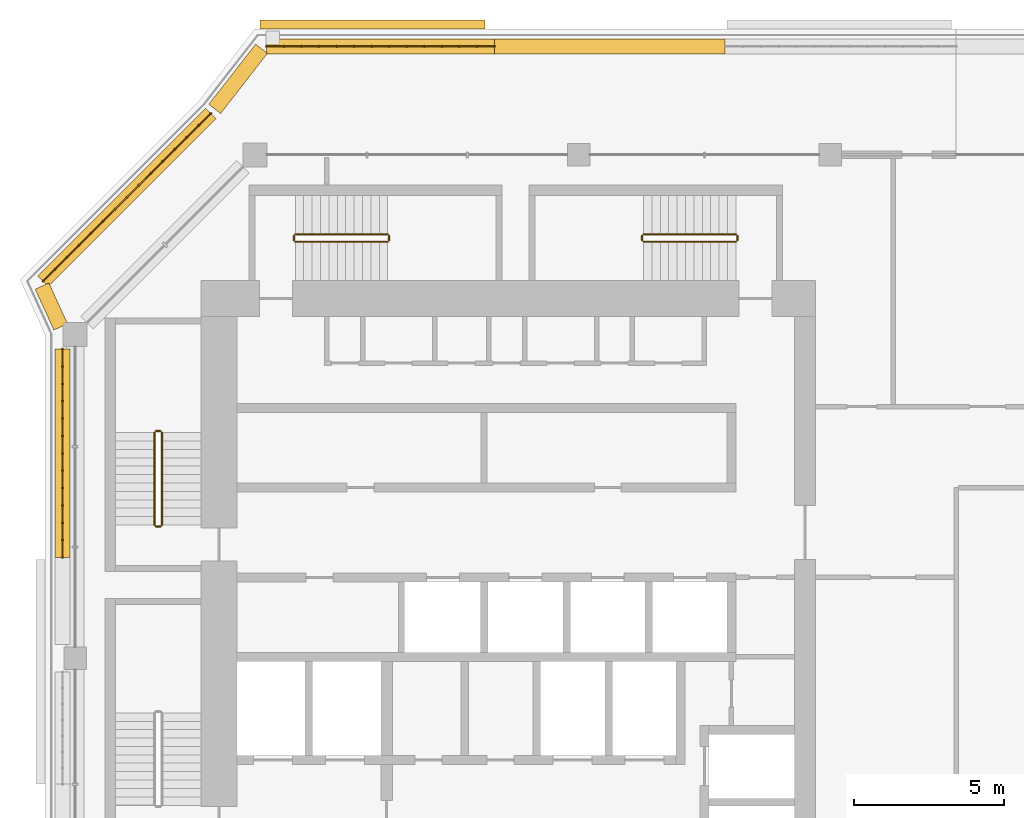
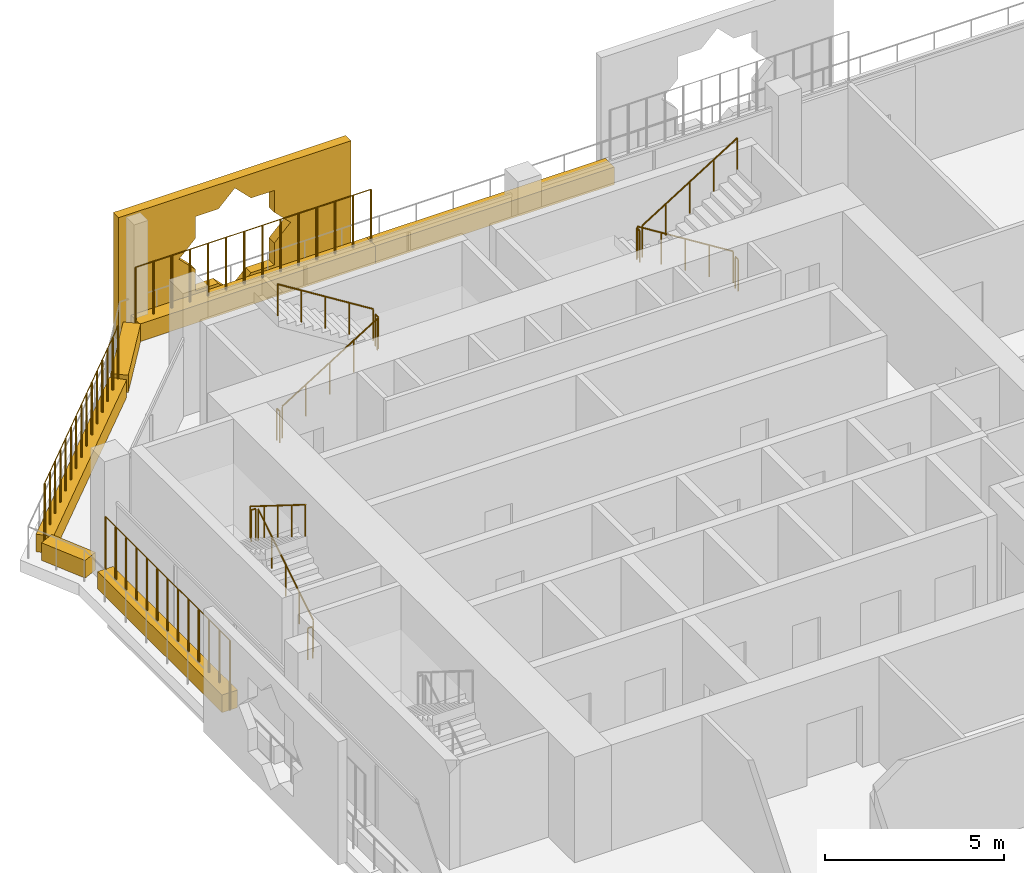
# One storey, part 19 of 21: 15 railings, 7 coverings.
"""IFC4 building model written with IfcOpenShell, lengths in metres."""

import ifcopenshell
import ifcopenshell.guid

model = None  # the IFC model being written
_history = None  # IfcOwnerHistory: only IFC2X3 demands one
_inside = {}  # id of a spatial element -> (the spatial element, [elements in it])
_under = {}  # id of a project, library or spatial element -> (it, [spatial elements below it])
_declared = {}  # id of a project -> (the project, [libraries it declares])
_typed = {}  # id of a type object -> (the type object, [elements of that type])
_made_of = {}  # id of a material, layer set ... -> (it, [elements and type objects made of it])


def new_model(schema):
    """Start an empty IFC model of exactly this schema.

    Asked for "IFC4X3", IfcOpenShell would pick the latest addendum, in which some entities
    have other attributes; the version numbers below select the first issue.
    IFC2X3 requires an IfcOwnerHistory on every rooted entity: one is made here for all.
    """
    global model, _history
    if schema == "IFC4X3":
        model = ifcopenshell.file(schema_version=(4, 3, 0, 0))
    else:
        model = ifcopenshell.file(schema=schema)
    _inside.clear()
    _under.clear()
    _declared.clear()
    _typed.clear()
    _made_of.clear()
    _history = None
    if model.schema == "IFC2X3":
        org = make("IfcOrganization", Name="unknown")
        user = make(
            "IfcPersonAndOrganization",
            ThePerson=make("IfcPerson", FamilyName="unknown"),
            TheOrganization=org,
        )
        app = make(
            "IfcApplication",
            ApplicationDeveloper=org,
            Version="unknown",
            ApplicationFullName="unknown",
            ApplicationIdentifier="unknown",
        )
        _history = make(
            "IfcOwnerHistory",
            OwningUser=user,
            OwningApplication=app,
            ChangeAction="ADDED",
            CreationDate=0,
        )
    return model


def make(cls, **values):
    """One entity of the class cls with the attributes given. An attribute that is None is left unset."""
    return model.create_entity(
        cls, **{name: value for name, value in values.items() if value is not None}
    )


def rooted(cls, **values):
    """An entity with a GlobalId (a new one), such as an element, a storey or a relation."""
    return make(cls, GlobalId=ifcopenshell.guid.new(), OwnerHistory=_history, **values)


def si_unit(unit_type, name, prefix=None):
    """IfcSIUnit, for example si_unit("LENGTHUNIT", "METRE", prefix="MILLI")."""
    return make("IfcSIUnit", UnitType=unit_type, Prefix=prefix, Name=name)


def assignment(units):
    """IfcUnitAssignment: the units of a project."""
    return None if units is None else make("IfcUnitAssignment", Units=units)


def point(xyz):
    """IfcCartesianPoint."""
    return None if xyz is None else make("IfcCartesianPoint", Coordinates=xyz)


def direction(xyz):
    """IfcDirection."""
    return None if xyz is None else make("IfcDirection", DirectionRatios=xyz)


def frame(location, z_axis=None, x_axis=None):
    """IfcAxis2Placement3D, a coordinate frame: its origin and axes. An axis left out is left unset."""
    return make(
        "IfcAxis2Placement3D",
        Location=point(location),
        Axis=direction(z_axis),
        RefDirection=direction(x_axis),
    )


def frame_2d(location, x_axis=None):
    """IfcAxis2Placement2D, a coordinate frame in the plane: its origin and x axis."""
    return make(
        "IfcAxis2Placement2D", Location=point(location), RefDirection=direction(x_axis)
    )


def origin():
    """The frame at (0, 0, 0) with its axes left unset."""
    return frame((0.0, 0.0, 0.0))


def origin_2d():
    """The frame at (0, 0) in the plane with its x axis left unset."""
    return frame_2d((0.0, 0.0))


def place(relative_to, where):
    """IfcLocalPlacement: puts the frame where relative to a parent placement (None: the world)."""
    return make(
        "IfcLocalPlacement", PlacementRelTo=relative_to, RelativePlacement=where
    )


def context(
    kind, dimensions, precision=None, world=None, true_north=None, identifier=None
):
    """IfcGeometricRepresentationContext, for example the 3D "Model" context."""
    return make(
        "IfcGeometricRepresentationContext",
        ContextIdentifier=identifier,
        ContextType=kind,
        CoordinateSpaceDimension=dimensions,
        Precision=precision,
        WorldCoordinateSystem=world,
        TrueNorth=true_north,
    )


def subcontext(parent, identifier, kind, view, scale=None):
    """IfcGeometricRepresentationSubContext, for example "Body" below "Model"."""
    return make(
        "IfcGeometricRepresentationSubContext",
        ContextIdentifier=identifier,
        ContextType=kind,
        ParentContext=parent,
        TargetScale=scale,
        TargetView=view,
    )


def project(units=None, contexts=None):
    """IfcProject with its units and contexts."""
    return rooted(
        "IfcProject",
        Name="project",
        RepresentationContexts=contexts,
        UnitsInContext=assignment(units),
    )


def spatial(cls, under=None, at=None, **own):
    """A site, building, storey or space (cls), placed at a placement, below another one or the project."""
    s = rooted(cls, ObjectPlacement=at, **own)
    if under is not None:
        _under.setdefault(under.id(), (under, []))[1].append(s)
    return s


def polyline(points):
    """IfcPolyline through the points."""
    return make("IfcPolyline", Points=[point(p) for p in points])


def profile(cls, at=None, kind="AREA", **sizes):
    """A parametric profile (cls). Its sizes go by their IFC names, for example OverallWidth=200.0."""
    return make(cls, ProfileType=kind, Position=at, **sizes)


def rectangle(**sizes):
    """IfcRectangleProfileDef."""
    return profile("IfcRectangleProfileDef", **sizes)


def circle(**sizes):
    """IfcCircleProfileDef."""
    return profile("IfcCircleProfileDef", **sizes)


def outline(outer, holes=None, kind="AREA"):
    """IfcArbitraryClosedProfileDef: a profile drawn as a closed curve; with holes, ...WithVoids."""
    if holes is None:
        return make("IfcArbitraryClosedProfileDef", ProfileType=kind, OuterCurve=outer)
    return make(
        "IfcArbitraryProfileDefWithVoids",
        ProfileType=kind,
        OuterCurve=outer,
        InnerCurves=holes,
    )


def extrude(swept, where, along, depth):
    """IfcExtrudedAreaSolid: the profile swept, set in the frame where, extruded along a direction by depth."""
    return make(
        "IfcExtrudedAreaSolid",
        SweptArea=swept,
        Position=where,
        ExtrudedDirection=direction(along),
        Depth=depth,
    )


def shape(context_of_items, identifier, shape_type, items):
    """IfcShapeRepresentation: the items that make up one representation, for example the "Body"."""
    return make(
        "IfcShapeRepresentation",
        ContextOfItems=context_of_items,
        RepresentationIdentifier=identifier,
        RepresentationType=shape_type,
        Items=items,
    )


def material(Name=None, Category=None):
    """IfcMaterial."""
    return make("IfcMaterial", Name=Name, Category=Category)


def material_profile(
    of_material, cross_section, Name=None, Category=None, Priority=None
):
    """IfcMaterialProfile: a cross section and its material."""
    return make(
        "IfcMaterialProfile",
        Name=Name,
        Material=of_material,
        Profile=cross_section,
        Priority=Priority,
        Category=Category,
    )


def profile_set(profiles, Name=None, composite=None):
    """IfcMaterialProfileSet."""
    return make(
        "IfcMaterialProfileSet",
        Name=Name,
        MaterialProfiles=profiles,
        CompositeProfile=composite,
    )


def made_of(thing, what):
    """Note that an element or type object is made of a material, layer set ...; save() writes the relation."""
    if what is not None:
        _made_of.setdefault(what.id(), (what, []))[1].append(thing)
    return thing


def type_object(cls, material=None, **own):
    """A type object (cls), such as IfcWallType, which elements share."""
    return made_of(rooted(cls, **own), material)


def element(
    cls,
    number,
    at=None,
    inside=None,
    cuts=None,
    type_object=None,
    material=None,
    context=None,
    identifier="Body",
    shape_type=None,
    held_by="IfcProductDefinitionShape",
    body=None,
    shapes=None,
    **own,
):
    """One element of the class cls, such as IfcWall. Its Tag is "e" and its number.

    at: its placement. inside: the storey or other place that contains it. cuts: it is an
    opening in that element (IfcRelVoidsElement). A single representation is given by context,
    identifier, shape_type and body (its items); several are given by shapes. held_by: the class
    of the entity that holds the representations. save() writes the other relations.
    """
    e = rooted(cls, Tag="e%d" % number, ObjectPlacement=at, **own)
    if body is not None:
        shapes = [shape(context, identifier, shape_type, body)]
    if shapes is not None:
        e.Representation = make(held_by, Representations=shapes)
    if inside is not None:
        _inside.setdefault(inside.id(), (inside, []))[1].append(e)
    if cuts is not None:
        rooted(
            "IfcRelVoidsElement", RelatingBuildingElement=cuts, RelatedOpeningElement=e
        )
    if type_object is not None:
        _typed.setdefault(type_object.id(), (type_object, []))[1].append(e)
    return made_of(e, material)


def aggregate(whole, parts):
    """IfcRelAggregates: a whole, such as a stair, and the parts it consists of."""
    return rooted("IfcRelAggregates", RelatingObject=whole, RelatedObjects=parts)


def save(model, path):
    """Write the relations noted so far, then the file.

    IfcRelAggregates (storeys below a building ...), IfcRelContainedInSpatialStructure (elements
    in a storey), IfcRelDefinesByType, IfcRelAssociatesMaterial and IfcRelDeclares: one each for
    every whole, place, type object, material and project.
    """
    for whole, parts in _under.values():
        aggregate(whole, parts)
    for where, things in _inside.values():
        rooted(
            "IfcRelContainedInSpatialStructure",
            RelatedElements=things,
            RelatingStructure=where,
        )
    for kind, things in _typed.values():
        rooted("IfcRelDefinesByType", RelatedObjects=things, RelatingType=kind)
    for what, things in _made_of.values():
        rooted("IfcRelAssociatesMaterial", RelatedObjects=things, RelatingMaterial=what)
    for by, libraries in _declared.values():
        rooted("IfcRelDeclares", RelatingContext=by, RelatedDefinitions=libraries)
    model.write(path)


model = new_model("IFC4")

# Units and contexts
model_context = context("Model", 3, precision=1e-05, world=origin(), true_north=direction((0.0, 1.0)))
body_context = subcontext(model_context, "Body", "Model", "MODEL_VIEW")
ifc_project = project(units=[si_unit("LENGTHUNIT", "METRE"), si_unit("AREAUNIT", "SQUARE_METRE"), si_unit("VOLUMEUNIT", "CUBIC_METRE"), si_unit("PLANEANGLEUNIT", "RADIAN"), si_unit("MASSUNIT", "GRAM", prefix="KILO")], contexts=[model_context])

# Site, building, storey
site_placement = place(None, origin())
site = spatial("IfcSite", under=ifc_project, at=site_placement, CompositionType="ELEMENT")
building_placement = place(site_placement, origin())
building = spatial("IfcBuilding", under=site, at=building_placement, Name="Kawkab Arch Medical Tower", CompositionType="ELEMENT")
storey_placement = place(building_placement, frame((0.0, 0.0, 302.800048828125)))
storey = spatial("IfcBuildingStorey", under=building, at=storey_placement, Name="L70", CompositionType="ELEMENT", Elevation=302.800048828125)

# Coverings
ifc_material_1 = material(Name="Bronze anodised aluminium mashrabiya panel, eight-point star pattern", Category="aluminium")
ifc_material_profile_1 = material_profile(ifc_material_1, outline(polyline([(-3.75, -2.10009765625), (3.75, -2.10009765625), (3.75, 2.10009765625), (-3.75, 2.10009765625), (-3.75, -2.10009765625)]), holes=[polyline([(1.800048828125, 0.0), (1.272705078125, 0.527099609375), (1.272705078125, 1.272705078125), (0.527099609375, 1.272705078125), (0.0, 1.800048828125), (-0.527099609375, 1.272705078125), (-1.272705078125, 1.272705078125), (-1.272705078125, 0.527099609375), (-1.800048828125, 0.0), (-1.272705078125, -0.527099609375), (-1.272705078125, -1.272705078125), (-0.527099609375, -1.272705078125), (0.0, -1.800048828125), (0.527099609375, -1.272705078125), (1.272705078125, -1.272705078125), (1.272705078125, -0.527099609375), (1.800048828125, 0.0)])]), Name="Mashrabiya panel 7500x4200")
ifc_profile_set_1 = profile_set([ifc_material_profile_1], Name="Bronze anodised aluminium mashrabiya panel, eight-point star pattern")
covering_type_1 = type_object("IfcCoveringType", Name="Mashrabiya panel 7500 x 4200", PredefinedType="USERDEFINED", material=ifc_profile_set_1)
covering_1_placement = place(storey_placement, frame((9.924072265625, 4.199951171875, 1.699951171875), z_axis=(0.0, 1.0, 0.0), x_axis=(-1.0, 0.0, 0.0)))
element("IfcCovering", 1, at=covering_1_placement, inside=storey, type_object=covering_type_1, Name="Mashrabiya panel L70.LOG-01-01.3", ObjectType="SCREEN", PredefinedType="USERDEFINED", context=body_context, shape_type="SweptSolid", body=[
    extrude(outline(polyline([(-3.75, -2.10009765625), (3.75, -2.10009765625), (3.75, 2.10009765625), (-3.75, 2.10009765625), (-3.75, -2.10009765625)]), holes=[polyline([(1.800048828125, 0.0), (1.272705078125, 0.527099609375), (1.272705078125, 1.272705078125), (0.527099609375, 1.272705078125), (0.0, 1.800048828125), (-0.527099609375, 1.272705078125), (-1.272705078125, 1.272705078125), (-1.272705078125, 0.527099609375), (-1.800048828125, 0.0), (-1.272705078125, -0.527099609375), (-1.272705078125, -1.272705078125), (-0.527099609375, -1.272705078125), (0.0, -1.800048828125), (0.527099609375, -1.272705078125), (1.272705078125, -1.272705078125), (1.272705078125, -0.527099609375), (1.800048828125, 0.0)])]), origin(), (0.0, 0.0, 1.0), 0.300048828125),
])
ifc_material_2 = material(Name="Planting soil in a precast trough", Category="concrete")
ifc_material_profile_2 = material_profile(ifc_material_2, rectangle(XDim=0.5, YDim=0.60009765625, at=origin_2d()), Name="Trough 500x600")
ifc_profile_set_2 = profile_set([ifc_material_profile_2], Name="Planting soil in a precast trough")
covering_type_2 = type_object("IfcCoveringType", Name="Planter trough 500 x 600", PredefinedType="USERDEFINED", material=ifc_profile_set_2)
covering_2_placement = place(storey_placement, frame((-0.419921875, -13.43701171875, 0.300048828125), z_axis=(0.0, 1.0, 0.0), x_axis=(-1.0, 0.0, 0.0)))
element("IfcCovering", 2, at=covering_2_placement, inside=storey, type_object=covering_type_2, Name="Planter L70.LOG-01-01.9", ObjectType="PLANTER", PredefinedType="USERDEFINED", context=body_context, shape_type="SweptSolid", body=[
    extrude(rectangle(XDim=0.5, YDim=0.60009765625, at=origin_2d()), origin(), (0.0, 0.0, 1.0), 6.95703125),
])
covering_3_placement = place(storey_placement, frame((-0.47998046875, -5.741943359375, 0.300048828125), z_axis=(-0.415189748133, 0.909734836667, 0.0), x_axis=(-0.909734836667, -0.415189748133, 0.0)))
element("IfcCovering", 3, at=covering_3_placement, inside=storey, type_object=covering_type_2, Name="Planter L70.LOG-01-01.10", ObjectType="PLANTER", PredefinedType="USERDEFINED", context=body_context, shape_type="SweptSolid", body=[
    extrude(rectangle(XDim=0.5, YDim=0.60009765625, at=origin_2d()), origin(), (0.0, 0.0, 1.0), 1.498291015625),
])
covering_4_placement = place(storey_placement, frame((-1.072998046875, -4.217041015625, 0.300048828125), z_axis=(0.707106781187, 0.707106781187, 0.0), x_axis=(-0.707106781187, 0.707106781187, 0.0)))
element("IfcCovering", 4, at=covering_4_placement, inside=storey, type_object=covering_type_2, Name="Planter L70.LOG-01-01.11", ObjectType="PLANTER", PredefinedType="USERDEFINED", context=body_context, shape_type="SweptSolid", body=[
    extrude(rectangle(XDim=0.5, YDim=0.60009765625, at=origin_2d()), origin(), (0.0, 0.0, 1.0), 7.919677734375),
])
covering_5_placement = place(storey_placement, frame((4.658935546875, 1.531982421875, 0.300048828125), z_axis=(0.61404021143, 0.789274742246, 0.0), x_axis=(-0.789274742246, 0.61404021143, 0.0)))
element("IfcCovering", 5, at=covering_5_placement, inside=storey, type_object=covering_type_2, Name="Planter L70.LOG-01-01.12", ObjectType="PLANTER", PredefinedType="USERDEFINED", context=body_context, shape_type="SweptSolid", body=[
    extrude(rectangle(XDim=0.5, YDim=0.60009765625, at=origin_2d()), origin(), (0.0, 0.0, 1.0), 2.54541015625),
])
covering_6_placement = place(storey_placement, frame((6.384033203125, 3.6201171875, 0.300048828125), z_axis=(1.0, 0.0, 0.0), x_axis=(0.0, 1.0, 0.0)))
element("IfcCovering", 6, at=covering_6_placement, inside=storey, type_object=covering_type_2, Name="Planter L70.LOG-01-01.13", ObjectType="PLANTER", PredefinedType="USERDEFINED", context=body_context, shape_type="SweptSolid", body=[
    extrude(rectangle(XDim=0.5, YDim=0.60009765625, at=origin_2d()), origin(), (0.0, 0.0, 1.0), 7.60498046875),
])
covering_7_placement = place(storey_placement, frame((13.989013671875, 3.6201171875, 0.300048828125), z_axis=(1.0, 0.0, 0.0), x_axis=(0.0, 1.0, 0.0)))
element("IfcCovering", 7, at=covering_7_placement, inside=storey, type_object=covering_type_2, Name="Planter L70.LOG-01-01.14", ObjectType="PLANTER", PredefinedType="USERDEFINED", context=body_context, shape_type="SweptSolid", body=[
    extrude(rectangle(XDim=0.5, YDim=0.60009765625, at=origin_2d()), origin(), (0.0, 0.0, 1.0), 7.7060546875),
])

# Railings
ifc_material_3 = material(Name="Bronze anodised aluminium trellis for climbing plants", Category="aluminium")
railing_type_1 = type_object("IfcRailingType", Name="Planting trellis 2400", PredefinedType="USERDEFINED", material=ifc_material_3)
railing_1_placement = place(storey_placement, frame((-0.419921875, -13.43701171875, 0.0)))
element("IfcRailing", 8, at=railing_1_placement, inside=storey, type_object=railing_type_1, Name="Planting trellis L70.LOG-01-01.9", ObjectType="TRELLIS", PredefinedType="USERDEFINED", context=body_context, shape_type="SweptSolid", body=[
    extrude(circle(Radius=0.01513671875, at=origin_2d()), frame((0.0, 0.0, 2.384765625), z_axis=(0.0, 1.0, 0.0), x_axis=(-1.0, 0.0, 0.0)), (0.0, 0.0, 1.0), 6.95703125),
    extrude(circle(Radius=0.030029296875, at=origin_2d()), origin(), (0.0, 0.0, 1.0), 2.369873046875),
    extrude(circle(Radius=0.030029296875, at=origin_2d()), frame((0.0, 0.579833984375, 0.0)), (0.0, 0.0, 1.0), 2.369873046875),
    extrude(circle(Radius=0.030029296875, at=origin_2d()), frame((0.0, 1.159423828125, 0.0)), (0.0, 0.0, 1.0), 2.369873046875),
    extrude(circle(Radius=0.030029296875, at=origin_2d()), frame((0.0, 1.7392578125, 0.0)), (0.0, 0.0, 1.0), 2.369873046875),
    extrude(circle(Radius=0.030029296875, at=origin_2d()), frame((0.0, 2.319091796875, 0.0)), (0.0, 0.0, 1.0), 2.369873046875),
    extrude(circle(Radius=0.030029296875, at=origin_2d()), frame((0.0, 2.898681640625, 0.0)), (0.0, 0.0, 1.0), 2.369873046875),
    extrude(circle(Radius=0.030029296875, at=origin_2d()), frame((0.0, 3.478515625, 0.0)), (0.0, 0.0, 1.0), 2.369873046875),
    extrude(circle(Radius=0.030029296875, at=origin_2d()), frame((0.0, 4.058349609375, 0.0)), (0.0, 0.0, 1.0), 2.369873046875),
    extrude(circle(Radius=0.030029296875, at=origin_2d()), frame((0.0, 4.637939453125, 0.0)), (0.0, 0.0, 1.0), 2.369873046875),
    extrude(circle(Radius=0.030029296875, at=origin_2d()), frame((0.0, 5.2177734375, 0.0)), (0.0, 0.0, 1.0), 2.369873046875),
    extrude(circle(Radius=0.030029296875, at=origin_2d()), frame((0.0, 5.797607421875, 0.0)), (0.0, 0.0, 1.0), 2.369873046875),
    extrude(circle(Radius=0.030029296875, at=origin_2d()), frame((0.0, 6.377197265625, 0.0)), (0.0, 0.0, 1.0), 2.369873046875),
    extrude(circle(Radius=0.030029296875, at=origin_2d()), frame((0.0, 6.95703125, 0.0)), (0.0, 0.0, 1.0), 2.369873046875),
])
railing_2_placement = place(storey_placement, frame((-1.072998046875, -4.217041015625, 0.0)))
element("IfcRailing", 9, at=railing_2_placement, inside=storey, type_object=railing_type_1, Name="Planting trellis L70.LOG-01-01.11", ObjectType="TRELLIS", PredefinedType="USERDEFINED", context=body_context, shape_type="SweptSolid", body=[
    extrude(circle(Radius=0.01513671875, at=origin_2d()), frame((0.0, 0.0, 2.384765625), z_axis=(0.707106781187, 0.707106781187, 0.0), x_axis=(-0.707106781187, 0.707106781187, 0.0)), (0.0, 0.0, 1.0), 7.919677734375),
    extrude(circle(Radius=0.030029296875, at=origin_2d()), origin(), (0.0, 0.0, 1.0), 2.369873046875),
    extrude(circle(Radius=0.030029296875, at=origin_2d()), frame((0.39990234375, 0.39990234375, 0.0)), (0.0, 0.0, 1.0), 2.369873046875),
    extrude(circle(Radius=0.030029296875, at=origin_2d()), frame((0.800048828125, 0.800048828125, 0.0)), (0.0, 0.0, 1.0), 2.369873046875),
    extrude(circle(Radius=0.030029296875, at=origin_2d()), frame((1.199951171875, 1.199951171875, 0.0)), (0.0, 0.0, 1.0), 2.369873046875),
    extrude(circle(Radius=0.030029296875, at=origin_2d()), frame((1.60009765625, 1.60009765625, 0.0)), (0.0, 0.0, 1.0), 2.369873046875),
    extrude(circle(Radius=0.030029296875, at=origin_2d()), frame((2.0, 2.0, 0.0)), (0.0, 0.0, 1.0), 2.369873046875),
    extrude(circle(Radius=0.030029296875, at=origin_2d()), frame((2.400146484375, 2.400146484375, 0.0)), (0.0, 0.0, 1.0), 2.369873046875),
    extrude(circle(Radius=0.030029296875, at=origin_2d()), frame((2.800048828125, 2.800048828125, 0.0)), (0.0, 0.0, 1.0), 2.369873046875),
    extrude(circle(Radius=0.030029296875, at=origin_2d()), frame((3.199951171875, 3.199951171875, 0.0)), (0.0, 0.0, 1.0), 2.369873046875),
    extrude(circle(Radius=0.030029296875, at=origin_2d()), frame((3.60009765625, 3.60009765625, 0.0)), (0.0, 0.0, 1.0), 2.369873046875),
    extrude(circle(Radius=0.030029296875, at=origin_2d()), frame((4.0, 4.0, 0.0)), (0.0, 0.0, 1.0), 2.369873046875),
    extrude(circle(Radius=0.030029296875, at=origin_2d()), frame((4.400146484375, 4.400146484375, 0.0)), (0.0, 0.0, 1.0), 2.369873046875),
    extrude(circle(Radius=0.030029296875, at=origin_2d()), frame((4.800048828125, 4.800048828125, 0.0)), (0.0, 0.0, 1.0), 2.369873046875),
    extrude(circle(Radius=0.030029296875, at=origin_2d()), frame((5.2001953125, 5.2001953125, 0.0)), (0.0, 0.0, 1.0), 2.369873046875),
    extrude(circle(Radius=0.030029296875, at=origin_2d()), frame((5.60009765625, 5.60009765625, 0.0)), (0.0, 0.0, 1.0), 2.369873046875),
])
railing_3_placement = place(storey_placement, frame((6.384033203125, 3.6201171875, 0.0)))
element("IfcRailing", 10, at=railing_3_placement, inside=storey, type_object=railing_type_1, Name="Planting trellis L70.LOG-01-01.13", ObjectType="TRELLIS", PredefinedType="USERDEFINED", context=body_context, shape_type="SweptSolid", body=[
    extrude(circle(Radius=0.01513671875, at=origin_2d()), frame((0.0, 0.0, 2.384765625), z_axis=(1.0, 0.0, 0.0), x_axis=(0.0, 1.0, 0.0)), (0.0, 0.0, 1.0), 7.60498046875),
    extrude(circle(Radius=0.030029296875, at=origin_2d()), origin(), (0.0, 0.0, 1.0), 2.369873046875),
    extrude(circle(Radius=0.030029296875, at=origin_2d()), frame((0.5849609375, 0.0, 0.0)), (0.0, 0.0, 1.0), 2.369873046875),
    extrude(circle(Radius=0.030029296875, at=origin_2d()), frame((1.169921875, 0.0, 0.0)), (0.0, 0.0, 1.0), 2.369873046875),
    extrude(circle(Radius=0.030029296875, at=origin_2d()), frame((1.7548828125, 0.0, 0.0)), (0.0, 0.0, 1.0), 2.369873046875),
    extrude(circle(Radius=0.030029296875, at=origin_2d()), frame((2.340087890625, 0.0, 0.0)), (0.0, 0.0, 1.0), 2.369873046875),
    extrude(circle(Radius=0.030029296875, at=origin_2d()), frame((2.925048828125, 0.0, 0.0)), (0.0, 0.0, 1.0), 2.369873046875),
    extrude(circle(Radius=0.030029296875, at=origin_2d()), frame((3.510009765625, 0.0, 0.0)), (0.0, 0.0, 1.0), 2.369873046875),
    extrude(circle(Radius=0.030029296875, at=origin_2d()), frame((4.094970703125, 0.0, 0.0)), (0.0, 0.0, 1.0), 2.369873046875),
    extrude(circle(Radius=0.030029296875, at=origin_2d()), frame((4.679931640625, 0.0, 0.0)), (0.0, 0.0, 1.0), 2.369873046875),
    extrude(circle(Radius=0.030029296875, at=origin_2d()), frame((5.264892578125, 0.0, 0.0)), (0.0, 0.0, 1.0), 2.369873046875),
    extrude(circle(Radius=0.030029296875, at=origin_2d()), frame((5.85009765625, 0.0, 0.0)), (0.0, 0.0, 1.0), 2.369873046875),
    extrude(circle(Radius=0.030029296875, at=origin_2d()), frame((6.43505859375, 0.0, 0.0)), (0.0, 0.0, 1.0), 2.369873046875),
    extrude(circle(Radius=0.030029296875, at=origin_2d()), frame((7.02001953125, 0.0, 0.0)), (0.0, 0.0, 1.0), 2.369873046875),
    extrude(circle(Radius=0.030029296875, at=origin_2d()), frame((7.60498046875, 0.0, 0.0)), (0.0, 0.0, 1.0), 2.369873046875),
])
ifc_material_4 = material(Name="Stainless steel", Category="steel")
railing_type_2 = type_object("IfcRailingType", Name="Stair guard 1100", PredefinedType="GUARDRAIL", material=ifc_material_4)
railing_4_placement = place(storey_placement, frame((2.89990234375, -12.35009765625, 0.175048828125)))
element("IfcRailing", 11, at=railing_4_placement, inside=storey, type_object=railing_type_2, Name="L70 ST1 stair guard 1", PredefinedType="GUARDRAIL", context=body_context, shape_type="SweptSolid", body=[
    extrude(circle(Radius=0.02392578125, at=origin_2d()), frame((0.0, 0.0, 1.076171875), z_axis=(0.0, 0.848028513186, 0.529950602248), x_axis=(-1.0, 0.0, 0.0)), (0.0, 0.0, 1.0), 3.632080078125),
    extrude(circle(Radius=0.02099609375, at=origin_2d()), origin(), (0.0, 0.0, 1.0), 1.052001953125),
    extrude(circle(Radius=0.02099609375, at=origin_2d()), frame((0.0, 0.77001953125, 0.481201171875)), (0.0, 0.0, 1.0), 1.052001953125),
    extrude(circle(Radius=0.02099609375, at=origin_2d()), frame((0.0, 1.5400390625, 0.96240234375)), (0.0, 0.0, 1.0), 1.052001953125),
    extrude(circle(Radius=0.02099609375, at=origin_2d()), frame((0.0, 2.31005859375, 1.443603515625)), (0.0, 0.0, 1.0), 1.052001953125),
    extrude(circle(Radius=0.02099609375, at=origin_2d()), frame((0.0, 3.080078125, 1.9248046875)), (0.0, 0.0, 1.0), 1.052001953125),
])
railing_5_placement = place(storey_placement, frame((2.85009765625, -9.219970703125, 2.099853515625)))
element("IfcRailing", 12, at=railing_5_placement, inside=storey, type_object=railing_type_2, Name="L70 ST1 stair guard 2", PredefinedType="GUARDRAIL", context=body_context, shape_type="SweptSolid", body=[
    extrude(circle(Radius=0.02392578125, at=origin_2d()), frame((0.0, 0.0, 1.076171875), z_axis=(-1.0, 0.0, 0.0), x_axis=(0.0, -1.0, 0.0)), (0.0, 0.0, 1.0), 0.150146484375),
    extrude(circle(Radius=0.02099609375, at=origin_2d()), origin(), (0.0, 0.0, 1.0), 1.052001953125),
    extrude(circle(Radius=0.02099609375, at=origin_2d()), frame((-0.150146484375, 0.0, 0.0)), (0.0, 0.0, 1.0), 1.052001953125),
])
railing_6_placement = place(storey_placement, frame((2.64990234375, -9.27001953125, 2.27490234375)))
element("IfcRailing", 13, at=railing_6_placement, inside=storey, type_object=railing_type_2, Name="L70 ST1 stair guard 3", PredefinedType="GUARDRAIL", context=body_context, shape_type="SweptSolid", body=[
    extrude(circle(Radius=0.02392578125, at=origin_2d()), frame((0.0, 0.0, 1.076171875), z_axis=(0.0, -0.847998304005, 0.529998940003), x_axis=(1.0, 0.0, 0.0)), (0.0, 0.0, 1.0), 3.632080078125),
    extrude(circle(Radius=0.02099609375, at=origin_2d()), origin(), (0.0, 0.0, 1.0), 1.052001953125),
    extrude(circle(Radius=0.02099609375, at=origin_2d()), frame((0.0, -0.77001953125, 0.481201171875)), (0.0, 0.0, 1.0), 1.052001953125),
    extrude(circle(Radius=0.02099609375, at=origin_2d()), frame((0.0, -1.5400390625, 0.96240234375)), (0.0, 0.0, 1.0), 1.052001953125),
    extrude(circle(Radius=0.02099609375, at=origin_2d()), frame((0.0, -2.31005859375, 1.44384765625)), (0.0, 0.0, 1.0), 1.052001953125),
    extrude(circle(Radius=0.02099609375, at=origin_2d()), frame((0.0, -3.080078125, 1.925048828125)), (0.0, 0.0, 1.0), 1.052001953125),
])
railing_7_placement = place(storey_placement, frame((2.85009765625, -12.39990234375, 0.0)))
element("IfcRailing", 14, at=railing_7_placement, inside=storey, type_object=railing_type_2, Name="L70 ST1 stair guard 4", PredefinedType="GUARDRAIL", context=body_context, shape_type="SweptSolid", body=[
    extrude(circle(Radius=0.02392578125, at=origin_2d()), frame((0.0, 0.0, 1.076171875), z_axis=(-1.0, 0.0, 0.0), x_axis=(0.0, -1.0, 0.0)), (0.0, 0.0, 1.0), 0.150146484375),
    extrude(circle(Radius=0.02099609375, at=origin_2d()), origin(), (0.0, 0.0, 1.0), 1.052001953125),
    extrude(circle(Radius=0.02099609375, at=origin_2d()), frame((-0.150146484375, 0.0, 0.0)), (0.0, 0.0, 1.0), 1.052001953125),
])
railing_8_placement = place(storey_placement, frame((7.35009765625, -2.89990234375, 0.175048828125)))
element("IfcRailing", 15, at=railing_8_placement, inside=storey, type_object=railing_type_2, Name="L70 ST3 stair guard 1", PredefinedType="GUARDRAIL", context=body_context, shape_type="SweptSolid", body=[
    extrude(circle(Radius=0.02392578125, at=origin_2d()), frame((0.0, 0.0, 1.076171875), z_axis=(0.848009633417, 0.0, 0.529980812513), x_axis=(0.0, 1.0, 0.0)), (0.0, 0.0, 1.0), 3.6318359375),
    extrude(circle(Radius=0.02099609375, at=origin_2d()), origin(), (0.0, 0.0, 1.0), 1.052001953125),
    extrude(circle(Radius=0.02099609375, at=origin_2d()), frame((0.77001953125, 0.0, 0.481201171875)), (0.0, 0.0, 1.0), 1.052001953125),
    extrude(circle(Radius=0.02099609375, at=origin_2d()), frame((1.5400390625, 0.0, 0.96240234375)), (0.0, 0.0, 1.0), 1.052001953125),
    extrude(circle(Radius=0.02099609375, at=origin_2d()), frame((2.309814453125, 0.0, 1.443603515625)), (0.0, 0.0, 1.0), 1.052001953125),
    extrude(circle(Radius=0.02099609375, at=origin_2d()), frame((3.079833984375, 0.0, 1.9248046875)), (0.0, 0.0, 1.0), 1.052001953125),
])
railing_9_placement = place(storey_placement, frame((10.47998046875, -2.85009765625, 2.099853515625)))
element("IfcRailing", 16, at=railing_9_placement, inside=storey, type_object=railing_type_2, Name="L70 ST3 stair guard 2", PredefinedType="GUARDRAIL", context=body_context, shape_type="SweptSolid", body=[
    extrude(circle(Radius=0.02392578125, at=origin_2d()), frame((0.0, 0.0, 1.076171875), z_axis=(0.0, 1.0, 0.0), x_axis=(-1.0, 0.0, 0.0)), (0.0, 0.0, 1.0), 0.150146484375),
    extrude(circle(Radius=0.02099609375, at=origin_2d()), origin(), (0.0, 0.0, 1.0), 1.052001953125),
    extrude(circle(Radius=0.02099609375, at=origin_2d()), frame((0.0, 0.150146484375, 0.0)), (0.0, 0.0, 1.0), 1.052001953125),
])
railing_10_placement = place(storey_placement, frame((10.429931640625, -2.64990234375, 2.27490234375)))
element("IfcRailing", 17, at=railing_10_placement, inside=storey, type_object=railing_type_2, Name="L70 ST3 stair guard 3", PredefinedType="GUARDRAIL", context=body_context, shape_type="SweptSolid", body=[
    extrude(circle(Radius=0.02392578125, at=origin_2d()), frame((0.0, 0.0, 1.076171875), z_axis=(-0.847979421464, 0.0, 0.530029150871), x_axis=(0.0, -1.0, 0.0)), (0.0, 0.0, 1.0), 3.632080078125),
    extrude(circle(Radius=0.02099609375, at=origin_2d()), origin(), (0.0, 0.0, 1.0), 1.052001953125),
    extrude(circle(Radius=0.02099609375, at=origin_2d()), frame((-0.77001953125, 0.0, 0.481201171875)), (0.0, 0.0, 1.0), 1.052001953125),
    extrude(circle(Radius=0.02099609375, at=origin_2d()), frame((-1.5400390625, 0.0, 0.96240234375)), (0.0, 0.0, 1.0), 1.052001953125),
    extrude(circle(Radius=0.02099609375, at=origin_2d()), frame((-2.309814453125, 0.0, 1.44384765625)), (0.0, 0.0, 1.0), 1.052001953125),
    extrude(circle(Radius=0.02099609375, at=origin_2d()), frame((-3.079833984375, 0.0, 1.925048828125)), (0.0, 0.0, 1.0), 1.052001953125),
])
railing_11_placement = place(storey_placement, frame((7.300048828125, -2.85009765625, 0.0)))
element("IfcRailing", 18, at=railing_11_placement, inside=storey, type_object=railing_type_2, Name="L70 ST3 stair guard 4", PredefinedType="GUARDRAIL", context=body_context, shape_type="SweptSolid", body=[
    extrude(circle(Radius=0.02392578125, at=origin_2d()), frame((0.0, 0.0, 1.076171875), z_axis=(0.0, 1.0, 0.0), x_axis=(-1.0, 0.0, 0.0)), (0.0, 0.0, 1.0), 0.150146484375),
    extrude(circle(Radius=0.02099609375, at=origin_2d()), origin(), (0.0, 0.0, 1.0), 1.052001953125),
    extrude(circle(Radius=0.02099609375, at=origin_2d()), frame((0.0, 0.150146484375, 0.0)), (0.0, 0.0, 1.0), 1.052001953125),
])
railing_12_placement = place(storey_placement, frame((22.050048828125, -2.64990234375, 0.175048828125)))
element("IfcRailing", 19, at=railing_12_placement, inside=storey, type_object=railing_type_2, Name="L70 ST4 stair guard 1", PredefinedType="GUARDRAIL", context=body_context, shape_type="SweptSolid", body=[
    extrude(circle(Radius=0.02392578125, at=origin_2d()), frame((0.0, 0.0, 1.076171875), z_axis=(-0.848028513186, 0.0, 0.529950602248), x_axis=(0.0, -1.0, 0.0)), (0.0, 0.0, 1.0), 3.632080078125),
    extrude(circle(Radius=0.02099609375, at=origin_2d()), origin(), (0.0, 0.0, 1.0), 1.052001953125),
    extrude(circle(Radius=0.02099609375, at=origin_2d()), frame((-0.77001953125, 0.0, 0.481201171875)), (0.0, 0.0, 1.0), 1.052001953125),
    extrude(circle(Radius=0.02099609375, at=origin_2d()), frame((-1.5400390625, 0.0, 0.96240234375)), (0.0, 0.0, 1.0), 1.052001953125),
    extrude(circle(Radius=0.02099609375, at=origin_2d()), frame((-2.31005859375, 0.0, 1.443603515625)), (0.0, 0.0, 1.0), 1.052001953125),
    extrude(circle(Radius=0.02099609375, at=origin_2d()), frame((-3.080078125, 0.0, 1.9248046875)), (0.0, 0.0, 1.0), 1.052001953125),
])
railing_13_placement = place(storey_placement, frame((18.919921875, -2.699951171875, 2.099853515625)))
element("IfcRailing", 20, at=railing_13_placement, inside=storey, type_object=railing_type_2, Name="L70 ST4 stair guard 2", PredefinedType="GUARDRAIL", context=body_context, shape_type="SweptSolid", body=[
    extrude(circle(Radius=0.02392578125, at=origin_2d()), frame((0.0, 0.0, 1.076171875), z_axis=(0.0, -1.0, 0.0), x_axis=(1.0, 0.0, 0.0)), (0.0, 0.0, 1.0), 0.150146484375),
    extrude(circle(Radius=0.02099609375, at=origin_2d()), origin(), (0.0, 0.0, 1.0), 1.052001953125),
    extrude(circle(Radius=0.02099609375, at=origin_2d()), frame((0.0, -0.150146484375, 0.0)), (0.0, 0.0, 1.0), 1.052001953125),
])
railing_14_placement = place(storey_placement, frame((18.969970703125, -2.89990234375, 2.27490234375)))
element("IfcRailing", 21, at=railing_14_placement, inside=storey, type_object=railing_type_2, Name="L70 ST4 stair guard 3", PredefinedType="GUARDRAIL", context=body_context, shape_type="SweptSolid", body=[
    extrude(circle(Radius=0.02392578125, at=origin_2d()), frame((0.0, 0.0, 1.076171875), z_axis=(0.847998304005, 0.0, 0.529998940003), x_axis=(0.0, 1.0, 0.0)), (0.0, 0.0, 1.0), 3.632080078125),
    extrude(circle(Radius=0.02099609375, at=origin_2d()), origin(), (0.0, 0.0, 1.0), 1.052001953125),
    extrude(circle(Radius=0.02099609375, at=origin_2d()), frame((0.77001953125, 0.0, 0.481201171875)), (0.0, 0.0, 1.0), 1.052001953125),
    extrude(circle(Radius=0.02099609375, at=origin_2d()), frame((1.5400390625, 0.0, 0.96240234375)), (0.0, 0.0, 1.0), 1.052001953125),
    extrude(circle(Radius=0.02099609375, at=origin_2d()), frame((2.31005859375, 0.0, 1.44384765625)), (0.0, 0.0, 1.0), 1.052001953125),
    extrude(circle(Radius=0.02099609375, at=origin_2d()), frame((3.080078125, 0.0, 1.925048828125)), (0.0, 0.0, 1.0), 1.052001953125),
])
railing_15_placement = place(storey_placement, frame((22.10009765625, -2.699951171875, 0.0)))
element("IfcRailing", 22, at=railing_15_placement, inside=storey, type_object=railing_type_2, Name="L70 ST4 stair guard 4", PredefinedType="GUARDRAIL", context=body_context, shape_type="SweptSolid", body=[
    extrude(circle(Radius=0.02392578125, at=origin_2d()), frame((0.0, 0.0, 1.076171875), z_axis=(0.0, -1.0, 0.0), x_axis=(1.0, 0.0, 0.0)), (0.0, 0.0, 1.0), 0.150146484375),
    extrude(circle(Radius=0.02099609375, at=origin_2d()), origin(), (0.0, 0.0, 1.0), 1.052001953125),
    extrude(circle(Radius=0.02099609375, at=origin_2d()), frame((0.0, -0.150146484375, 0.0)), (0.0, 0.0, 1.0), 1.052001953125),
])

save(model, "model.ifc")
